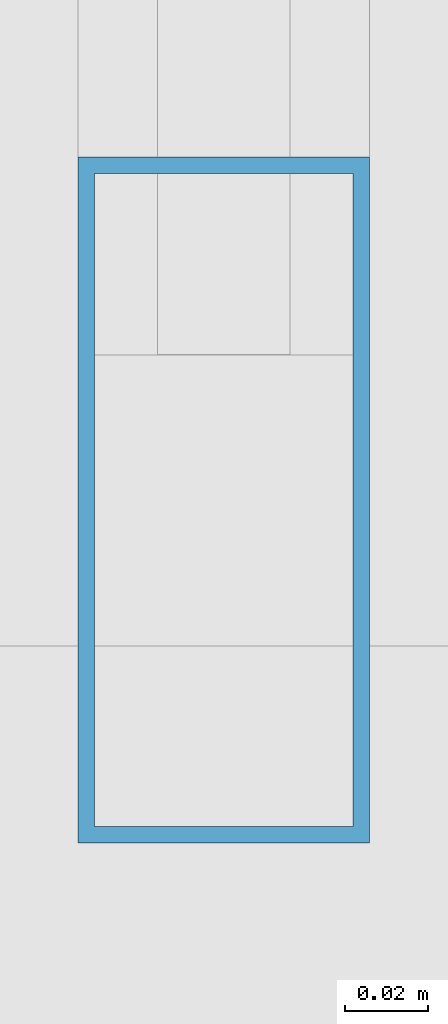
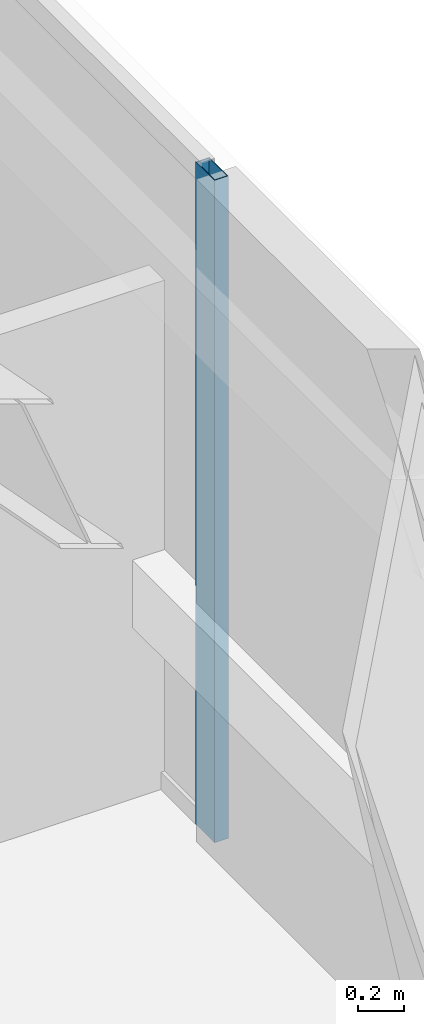
# One storey, part 18 of 56: 1 member, 1 element without a shape of its own.
"""IFC4 building model written with IfcOpenShell, lengths in metres."""

from ifc_helpers import new_model, si_unit, direction, frame, origin, origin_2d, place, context, subcontext, project, spatial, hollow_rectangle, extrude, material, material_profile, profile_set, type_object, element, aggregate, save


model = new_model("IFC4")

# Units and contexts
model_context = context("Model", 3, precision=1e-05, world=origin(), true_north=direction((0.0, 1.0)))
body_context = subcontext(model_context, "Body", "Model", "MODEL_VIEW")
ifc_project = project(units=[si_unit("LENGTHUNIT", "METRE"), si_unit("AREAUNIT", "SQUARE_METRE"), si_unit("VOLUMEUNIT", "CUBIC_METRE"), si_unit("PLANEANGLEUNIT", "RADIAN"), si_unit("MASSUNIT", "GRAM", prefix="KILO")], contexts=[model_context])

# Site, building, storey
site_placement = place(None, origin())
site = spatial("IfcSite", under=ifc_project, at=site_placement, CompositionType="ELEMENT")
building_placement = place(site_placement, origin())
building = spatial("IfcBuilding", under=site, at=building_placement, Name="Tashvorn Skyway Center", CompositionType="ELEMENT")
storey_placement = place(building_placement, frame((0.0, 0.0, 218.39990234375)))
storey = spatial("IfcBuildingStorey", under=building, at=storey_placement, Name="L59", CompositionType="ELEMENT", Elevation=218.39990234375)

# Curtain wall, member
ifc_material = material(Name="Thermally broken bronze-anodized aluminium 6063-T6", Category="aluminium")
curtain_wall_type = type_object("IfcCurtainWallType", Name="CW-CW-Z5", PredefinedType="NOTDEFINED", material=ifc_material)
curtain_wall_placement = place(storey_placement, origin())
curtain_wall = element("IfcCurtainWall", 1, at=curtain_wall_placement, inside=storey, type_object=curtain_wall_type, Name="Tower 1 L59 East Unitised Curtain Wall Glazing Group 1", PredefinedType="NOTDEFINED")
ifc_material_profile = material_profile(ifc_material, hollow_rectangle(XDim=0.070068359375, YDim=0.1650390625, WallThickness=0.00390625, at=origin_2d()), Name="ALU-MULL-70x165")
ifc_profile_set = profile_set([ifc_material_profile], Name="Thermally broken bronze-anodized aluminium 6063-T6")
member_type = type_object("IfcMemberType", Name="CWM-CW-Z5", PredefinedType="MULLION", material=ifc_profile_set)
member_placement = place(storey_placement, frame((58.280029296875, 43.06396484375, 0.0), z_axis=(0.0, 0.0, 1.0), x_axis=(1.0, 0.0, 0.0)))
member = element("IfcMember", 2, at=member_placement, type_object=member_type, Name="CW-Z5 mullion 2", PredefinedType="MULLION", context=body_context, shape_type="SweptSolid", body=[
    extrude(hollow_rectangle(XDim=0.070068359375, YDim=0.1650390625, WallThickness=0.00390625, at=origin_2d()), origin(), (0.0, 0.0, 1.0), 3.550048828125),
])
aggregate(curtain_wall, [member])

save(model, "model.ifc")
